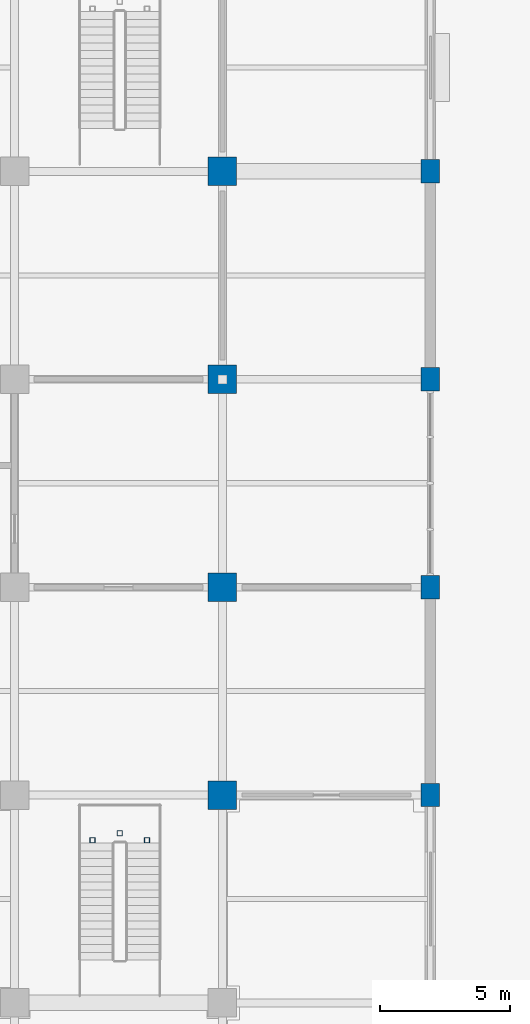
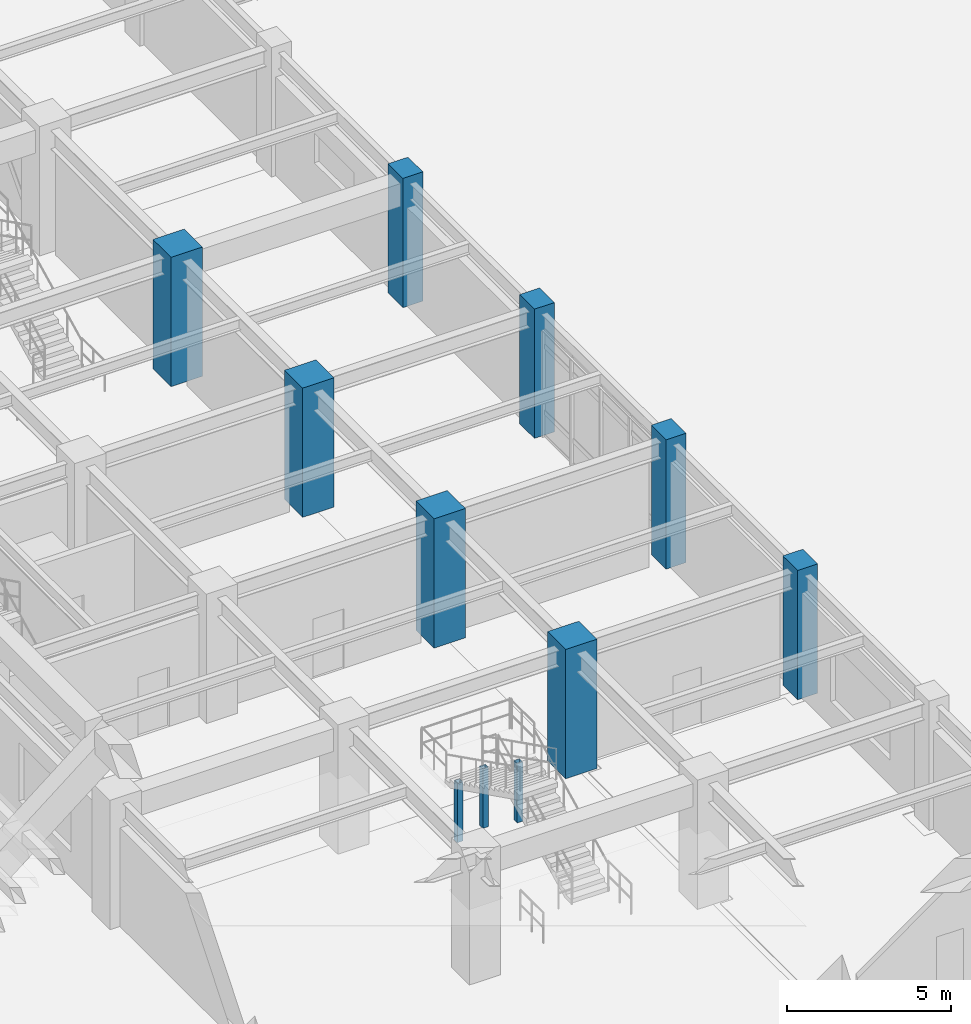
# One storey, part 13 of 125: 11 columns.
"""IFC4 building model written with IfcOpenShell, lengths in metres."""

from ifc_helpers import new_model, si_unit, direction, frame, origin, origin_2d, place, context, subcontext, project, spatial, rectangle, hollow_rectangle, extrude, material, material_profile, profile_set, type_object, element, save


model = new_model("IFC4")

# Units and contexts
model_context = context("Model", 3, precision=1e-05, world=origin(), true_north=direction((0.0, 1.0)))
body_context = subcontext(model_context, "Body", "Model", "MODEL_VIEW")
ifc_project = project(units=[si_unit("LENGTHUNIT", "METRE"), si_unit("AREAUNIT", "SQUARE_METRE"), si_unit("VOLUMEUNIT", "CUBIC_METRE"), si_unit("PLANEANGLEUNIT", "RADIAN"), si_unit("MASSUNIT", "GRAM", prefix="KILO")], contexts=[model_context])

# Site, building, storey
site_placement = place(None, origin())
site = spatial("IfcSite", under=ifc_project, at=site_placement, CompositionType="ELEMENT")
building_placement = place(site_placement, origin())
building = spatial("IfcBuilding", under=site, at=building_placement, Name="Haebicheon Civic Stadium", CompositionType="ELEMENT")
storey_placement = place(building_placement, origin())
storey = spatial("IfcBuildingStorey", under=building, at=storey_placement, Name="L01", CompositionType="ELEMENT", Elevation=0.0)

# Columns
ifc_material_1 = material(Name="Concrete C40/50", Category="concrete")
ifc_material_profile_1 = material_profile(ifc_material_1, rectangle(XDim=1.10009765625, YDim=1.10009765625, at=origin_2d()), Name="RC-COL-1100x1100")
ifc_profile_set_1 = profile_set([ifc_material_profile_1], Name="Concrete C40/50")
column_type_1 = type_object("IfcColumnType", Name="COL-RC-1100", PredefinedType="COLUMN", material=ifc_profile_set_1)
for number, where, z_axis, x_axis, name in (
    (1, (160.0, 96.0, 0.0), (0.0, 0.0, 1.0), (1.0, 0.0, 0.0), "L01 column 21/N"),
    (2, (160.0, 104.0, 0.0), (0.0, 0.0, 1.0), (1.0, 0.0, 0.0), "L01 column 21/P"),
    (3, (160.0, 112.0, 0.0), (0.0, 0.0, 1.0), (1.0, 0.0, 0.0), "L01 column 21/Q"),
    (4, (160.0, 120.0, 0.0), (0.0, 0.0, 1.0), (1.0, 0.0, 0.0), "L01 column 21/R"),
):
    element("IfcColumn", number, at=place(storey_placement, frame(where, z_axis=z_axis, x_axis=x_axis)), inside=storey, type_object=column_type_1, material=ifc_profile_set_1, Name=name, PredefinedType="COLUMN", context=body_context, shape_type="SweptSolid", body=[
        extrude(rectangle(XDim=1.10009765625, YDim=1.10009765625, at=origin_2d()), origin(), (0.0, 0.0, 1.0), 4.800048828125),
    ])
ifc_material_2 = material(Name="Concrete C40/50", Category="concrete")
ifc_material_profile_2 = material_profile(ifc_material_2, rectangle(XDim=0.699951171875, YDim=0.89990234375, at=origin_2d()), Name="RC-COL-900x700")
ifc_profile_set_2 = profile_set([ifc_material_profile_2], Name="Concrete C40/50")
column_type_2 = type_object("IfcColumnType", Name="COL-RC-900x700", PredefinedType="COLUMN", material=ifc_profile_set_2)
for number, where, z_axis, x_axis, name in (
    (5, (168.0, 96.0, 0.0), (0.0, 0.0, 1.0), (1.0, 0.0, 0.0), "L01 column 22/N"),
    (6, (168.0, 104.0, 0.0), (0.0, 0.0, 1.0), (1.0, 0.0, 0.0), "L01 column 22/P"),
    (7, (168.0, 112.0, 0.0), (0.0, 0.0, 1.0), (1.0, 0.0, 0.0), "L01 column 22/Q"),
    (8, (168.0, 120.0, 0.0), (0.0, 0.0, 1.0), (1.0, 0.0, 0.0), "L01 column 22/R"),
):
    element("IfcColumn", number, at=place(storey_placement, frame(where, z_axis=z_axis, x_axis=x_axis)), inside=storey, type_object=column_type_2, material=ifc_profile_set_2, Name=name, PredefinedType="COLUMN", context=body_context, shape_type="SweptSolid", body=[
        extrude(rectangle(XDim=0.699951171875, YDim=0.89990234375, at=origin_2d()), origin(), (0.0, 0.0, 1.0), 4.800048828125),
    ])
ifc_material_3 = material(Name="Steel SM355 (S355)", Category="steel")
ifc_material_profile_3 = material_profile(ifc_material_3, hollow_rectangle(XDim=0.199951171875, YDim=0.199951171875, WallThickness=0.009033203125, at=origin_2d()), Name="RHS-200x200x9.0")
ifc_profile_set_3 = profile_set([ifc_material_profile_3], Name="Steel SM355 (S355)")
column_type_3 = type_object("IfcColumnType", Name="COL-ST-RHS200", PredefinedType="COLUMN", material=ifc_profile_set_3)
for number, where, z_axis, x_axis, name in (
    (9, (155.0, 94.260009765625, 0.0), (0.0, 0.0, 1.0), (1.0, 0.0, 0.0), "VM-07 L01 vomitory landing support post A"),
    (10, (157.10009765625, 94.260009765625, 0.0), (0.0, 0.0, 1.0), (1.0, 0.0, 0.0), "VM-07 L01 vomitory landing support post B"),
    (11, (156.050048828125, 94.530029296875, 0.0), (0.0, 0.0, 1.0), (1.0, 0.0, 0.0), "VM-07 L01 vomitory landing support post C"),
):
    element("IfcColumn", number, at=place(storey_placement, frame(where, z_axis=z_axis, x_axis=x_axis)), inside=storey, type_object=column_type_3, material=ifc_profile_set_3, Name=name, PredefinedType="COLUMN", context=body_context, shape_type="SweptSolid", body=[
        extrude(hollow_rectangle(XDim=0.199951171875, YDim=0.199951171875, WallThickness=0.009033203125, at=origin_2d()), origin(), (0.0, 0.0, 1.0), 2.199951171875),
    ])

save(model, "model.ifc")
